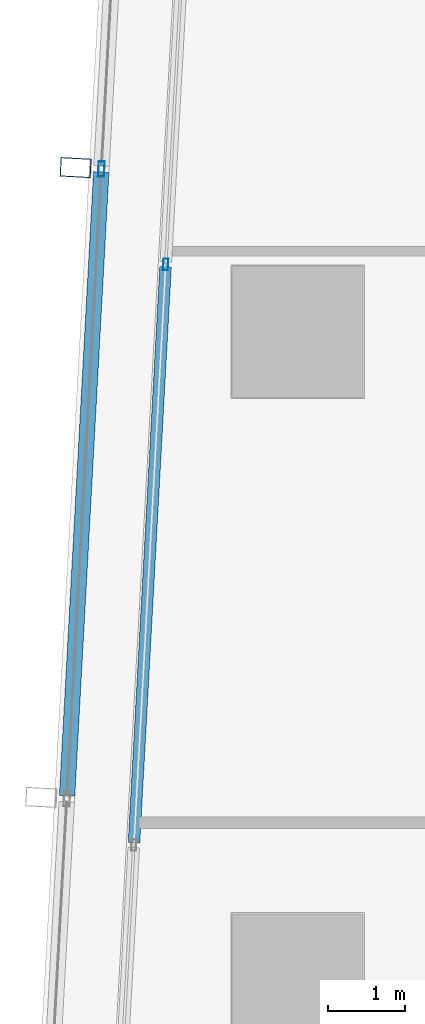
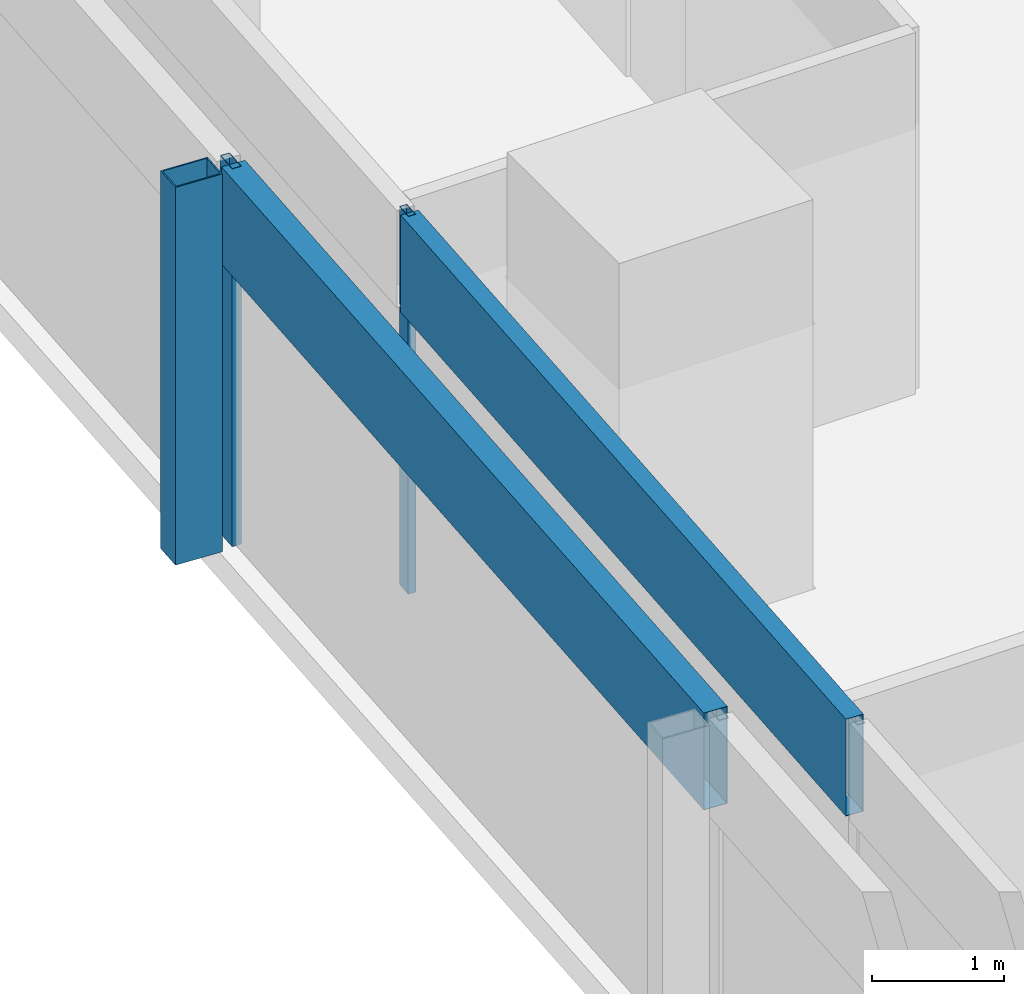
# One storey, part 8 of 40: 5 members, 2 elements without a shape of their own.
"""IFC4 building model written with IfcOpenShell, lengths in metres."""

from ifc_helpers import new_model, si_unit, direction, frame, origin, origin_2d, place, context, subcontext, project, spatial, hollow_rectangle, extrude, material, material_profile, profile_set, type_object, element, aggregate, save


model = new_model("IFC4")

# Units and contexts
model_context = context("Model", 3, precision=1e-05, world=origin(), true_north=direction((0.0, 1.0)))
body_context = subcontext(model_context, "Body", "Model", "MODEL_VIEW")
ifc_project = project(units=[si_unit("LENGTHUNIT", "METRE"), si_unit("AREAUNIT", "SQUARE_METRE"), si_unit("VOLUMEUNIT", "CUBIC_METRE"), si_unit("PLANEANGLEUNIT", "RADIAN"), si_unit("MASSUNIT", "GRAM", prefix="KILO")], contexts=[model_context])

# Site, building, storey
site_placement = place(None, origin())
site = spatial("IfcSite", under=ifc_project, at=site_placement, CompositionType="ELEMENT")
building_placement = place(site_placement, origin())
building = spatial("IfcBuilding", under=site, at=building_placement, Name="Rekha Terrace Tower", CompositionType="ELEMENT")
storey_placement = place(building_placement, frame((0.0, 0.0, 102.800048828125)))
storey = spatial("IfcBuildingStorey", under=building, at=storey_placement, Name="L25", CompositionType="ELEMENT", Elevation=102.800048828125)

# Curtain wall, member
ifc_material_1 = material(Name="Aluminium framing", Category="aluminium")
curtain_wall_type_1 = type_object("IfcCurtainWallType", Name="CW2 double skin outer glazing", PredefinedType="USERDEFINED", material=ifc_material_1)
curtain_wall_1_placement = place(storey_placement, origin())
curtain_wall_1 = element("IfcCurtainWall", 1, at=curtain_wall_1_placement, inside=storey, type_object=curtain_wall_type_1, Name="CW2 double skin outer glazing", ObjectType="DOUBLE SKIN OUTER GLAZING", PredefinedType="USERDEFINED")
ifc_material_2 = material(Name="Steel S355 with fluorocarbon finish", Category="steel")
ifc_material_profile_1 = material_profile(ifc_material_2, hollow_rectangle(XDim=0.25, YDim=0.39990234375, WallThickness=0.012451171875, at=origin_2d()), Name="RHS400x250x12.5")
ifc_profile_set_1 = profile_set([ifc_material_profile_1], Name="Steel S355 with fluorocarbon finish")
member_type_1 = type_object("IfcMemberType", Name="BL1 facade blade RHS 400 x 250", PredefinedType="USERDEFINED", material=ifc_profile_set_1)
member_1_placement = place(storey_placement, frame((5.521728515625, 44.128662109375, 0.0), z_axis=(0.0, 0.0, 1.0), x_axis=(-0.054742798353, -0.998500488747, 0.0)))
member_1 = element("IfcMember", 2, at=member_1_placement, type_object=member_type_1, Name="Facade blade", ObjectType="FACADE BLADE", PredefinedType="USERDEFINED", context=body_context, shape_type="SweptSolid", body=[
    extrude(hollow_rectangle(XDim=0.25, YDim=0.39990234375, WallThickness=0.012451171875, at=origin_2d()), origin(), (0.0, 0.0, 1.0), 3.5),
])

# Curtain wall, members
curtain_wall_type_2 = type_object("IfcCurtainWallType", Name="CW1 double skin inner glazing", PredefinedType="USERDEFINED", material=ifc_material_1)
curtain_wall_2_placement = place(storey_placement, origin())
curtain_wall_2 = element("IfcCurtainWall", 3, at=curtain_wall_2_placement, inside=storey, type_object=curtain_wall_type_2, Name="CW1 double skin inner glazing", ObjectType="DOUBLE SKIN INNER GLAZING", PredefinedType="USERDEFINED")
ifc_material_3 = material(Name="Aluminium mullion section", Category="aluminium")
ifc_material_profile_2 = material_profile(ifc_material_3, hollow_rectangle(XDim=0.06494140625, YDim=0.14990234375, WallThickness=0.00390625, at=origin_2d()), Name="AL RHS 65x150")
ifc_profile_set_2 = profile_set([ifc_material_profile_2], Name="Aluminium mullion section")
member_type_2 = type_object("IfcMemberType", Name="CW1 mullion RHS 65 x 150", PredefinedType="MULLION", material=ifc_profile_set_2)
member_2_placement = place(storey_placement, frame((6.689697265625, 42.87255859375, 0.0), z_axis=(0.0, 0.0, 1.0), x_axis=(0.99850051318, -0.054742352707, 0.0)))
member_2 = element("IfcMember", 4, at=member_2_placement, type_object=member_type_2, Name="CW1 mullion 3", PredefinedType="MULLION", context=body_context, shape_type="SweptSolid", body=[
    extrude(hollow_rectangle(XDim=0.06494140625, YDim=0.14990234375, WallThickness=0.00390625, at=origin_2d()), origin(), (0.0, 0.0, 1.0), 3.5),
])
ifc_material_4 = material(Name="Insulated aluminium spandrel box", Category="aluminium")
ifc_material_profile_3 = material_profile(ifc_material_4, hollow_rectangle(XDim=0.14990234375, YDim=0.89990234375, WallThickness=0.0029296875, at=origin_2d()), Name="AL SPANDREL BOX 150x900")
ifc_profile_set_3 = profile_set([ifc_material_profile_3], Name="Insulated aluminium spandrel box")
member_type_3 = type_object("IfcMemberType", Name="CW1 spandrel transom 150 x 900", PredefinedType="USERDEFINED", material=ifc_profile_set_3)
member_3_placement = place(storey_placement, frame((6.68798828125, 42.840087890625, 3.050048828125), z_axis=(-0.054766415299, -0.998499193668, 0.0), x_axis=(0.998499193668, -0.054766415299, 0.0)))
member_3 = element("IfcMember", 5, at=member_3_placement, type_object=member_type_3, Name="CW1 spandrel transom 3", ObjectType="TRANSOM", PredefinedType="USERDEFINED", context=body_context, shape_type="SweptSolid", body=[
    extrude(hollow_rectangle(XDim=0.14990234375, YDim=0.89990234375, WallThickness=0.0029296875, at=origin_2d()), origin(), (0.0, 0.0, 1.0), 7.475830078125),
])
aggregate(curtain_wall_2, [member_2, member_3])

# Member
ifc_material_profile_4 = material_profile(ifc_material_3, hollow_rectangle(XDim=0.080078125, YDim=0.199951171875, WallThickness=0.00390625, at=origin_2d()), Name="AL RHS 80x200")
ifc_profile_set_4 = profile_set([ifc_material_profile_4], Name="Aluminium mullion section")
member_type_4 = type_object("IfcMemberType", Name="CW2 mullion RHS 80 x 200", PredefinedType="MULLION", material=ifc_profile_set_4)
member_4_placement = place(storey_placement, frame((5.856201171875, 44.1103515625, 0.0), z_axis=(0.0, 0.0, 1.0), x_axis=(0.99850051318, -0.054742352707, 0.0)))
member_4 = element("IfcMember", 6, at=member_4_placement, type_object=member_type_4, Name="CW2 mullion 3", PredefinedType="MULLION", context=body_context, shape_type="SweptSolid", body=[
    extrude(hollow_rectangle(XDim=0.080078125, YDim=0.199951171875, WallThickness=0.00390625, at=origin_2d()), origin(), (0.0, 0.0, 1.0), 3.5),
])

ifc_material_profile_5 = material_profile(ifc_material_4, hollow_rectangle(XDim=0.199951171875, YDim=0.89990234375, WallThickness=0.0029296875, at=origin_2d()), Name="AL SPANDREL BOX 200x900")
ifc_profile_set_5 = profile_set([ifc_material_profile_5], Name="Insulated aluminium spandrel box")
member_type_5 = type_object("IfcMemberType", Name="CW2 spandrel transom 200 x 900", PredefinedType="USERDEFINED", material=ifc_profile_set_5)
member_5_placement = place(storey_placement, frame((5.85400390625, 44.070556640625, 3.050048828125), z_axis=(-0.054735499102, -0.998500888902, 0.0), x_axis=(0.998500888902, -0.054735499102, 0.0)))
member_5 = element("IfcMember", 7, at=member_5_placement, type_object=member_type_5, Name="CW2 spandrel transom 3", ObjectType="TRANSOM", PredefinedType="USERDEFINED", context=body_context, shape_type="SweptSolid", body=[
    extrude(hollow_rectangle(XDim=0.199951171875, YDim=0.89990234375, WallThickness=0.0029296875, at=origin_2d()), origin(), (0.0, 0.0, 1.0), 8.10009765625),
])

aggregate(curtain_wall_1, [member_4, member_5, member_1])

save(model, "model.ifc")
